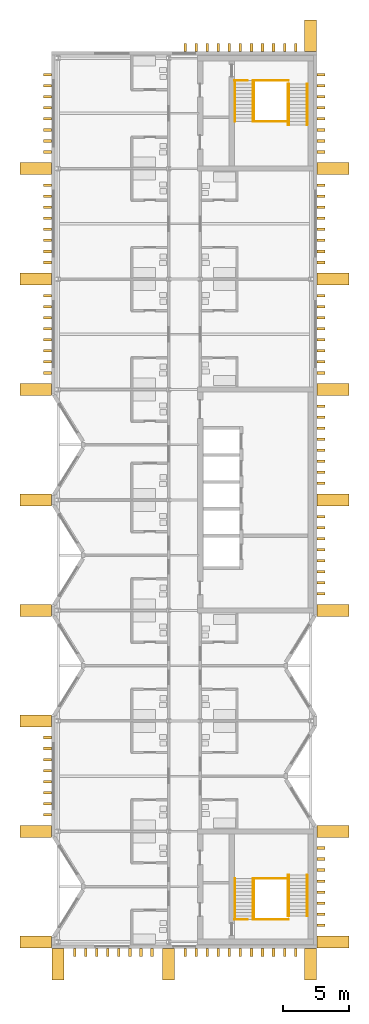
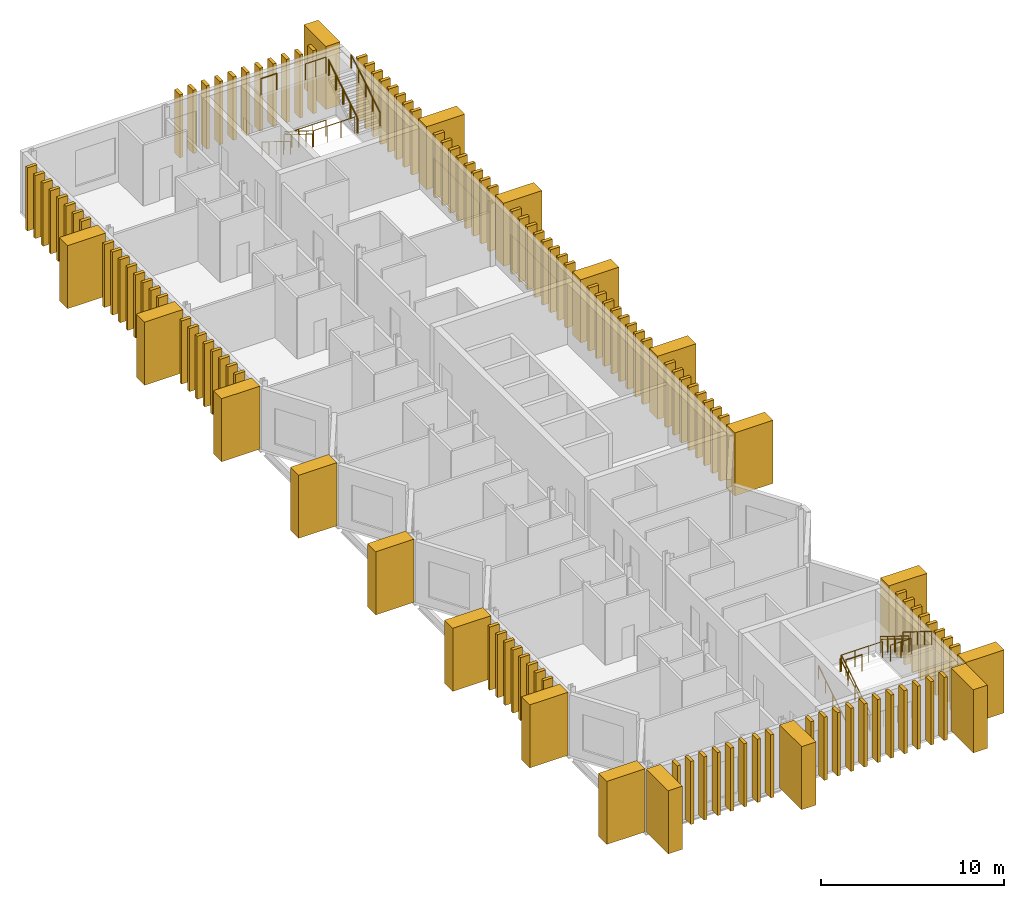
# One storey, part 9 of 10: 129 coverings, 20 railings.
"""IFC4 building model written with IfcOpenShell, lengths in metres."""

from ifc_helpers import new_model, si_unit, direction, frame, origin, origin_2d, place, context, subcontext, project, spatial, rectangle, circle, extrude, material, type_object, element, save


model = new_model("IFC4")

# Units and contexts
model_context = context("Model", 3, precision=1e-05, world=origin(), true_north=direction((0.0, 1.0)))
body_context = subcontext(model_context, "Body", "Model", "MODEL_VIEW")
ifc_project = project(units=[si_unit("LENGTHUNIT", "METRE"), si_unit("AREAUNIT", "SQUARE_METRE"), si_unit("VOLUMEUNIT", "CUBIC_METRE"), si_unit("PLANEANGLEUNIT", "RADIAN"), si_unit("MASSUNIT", "GRAM", prefix="KILO")], contexts=[model_context])

# Site, building, storey
site_placement = place(None, origin())
site = spatial("IfcSite", under=ifc_project, at=site_placement, CompositionType="ELEMENT")
building_placement = place(site_placement, origin())
building = spatial("IfcBuilding", under=site, at=building_placement, Name="Cresset Court Congress Hotel", CompositionType="ELEMENT")
storey_placement = place(building_placement, frame((0.0, 0.0, 56.39990234375)))
storey = spatial("IfcBuildingStorey", under=building, at=storey_placement, Name="L13", CompositionType="ELEMENT", Elevation=56.39990234375)

# Coverings
ifc_material_1 = material(Name="Precast concrete C50", Category="concrete")
covering_type_1 = type_object("IfcCoveringType", Name="Precast stone fin 200x600", PredefinedType="CLADDING", material=ifc_material_1)
for number, where, z_axis, x_axis, name in (
    (1, (177.199951171875, 1.260009765625, 0.0), (0.0, 0.0, 1.0), (1.0, 0.0, 0.0), "Fin E002"),
    (2, (177.199951171875, 2.10009765625, 0.0), (0.0, 0.0, 1.0), (1.0, 0.0, 0.0), "Fin E003"),
    (3, (177.199951171875, 2.93994140625, 0.0), (0.0, 0.0, 1.0), (1.0, 0.0, 0.0), "Fin E004"),
    (4, (177.199951171875, 3.780029296875, 0.0), (0.0, 0.0, 1.0), (1.0, 0.0, 0.0), "Fin E005"),
    (5, (177.199951171875, 4.6201171875, 0.0), (0.0, 0.0, 1.0), (1.0, 0.0, 0.0), "Fin E006"),
    (6, (177.199951171875, 5.4599609375, 0.0), (0.0, 0.0, 1.0), (1.0, 0.0, 0.0), "Fin E007"),
    (7, (177.199951171875, 6.300048828125, 0.0), (0.0, 0.0, 1.0), (1.0, 0.0, 0.0), "Fin E008"),
    (8, (177.199951171875, 7.139892578125, 0.0), (0.0, 0.0, 1.0), (1.0, 0.0, 0.0), "Fin E009"),
    (9, (177.199951171875, 26.4599609375, 0.0), (0.0, 0.0, 1.0), (1.0, 0.0, 0.0), "Fin E032"),
    (10, (177.199951171875, 27.300048828125, 0.0), (0.0, 0.0, 1.0), (1.0, 0.0, 0.0), "Fin E033"),
    (11, (177.199951171875, 28.139892578125, 0.0), (0.0, 0.0, 1.0), (1.0, 0.0, 0.0), "Fin E034"),
    (12, (177.199951171875, 28.97998046875, 0.0), (0.0, 0.0, 1.0), (1.0, 0.0, 0.0), "Fin E035"),
    (13, (177.199951171875, 29.820068359375, 0.0), (0.0, 0.0, 1.0), (1.0, 0.0, 0.0), "Fin E036"),
    (14, (177.199951171875, 30.659912109375, 0.0), (0.0, 0.0, 1.0), (1.0, 0.0, 0.0), "Fin E037"),
    (15, (177.199951171875, 31.5, 0.0), (0.0, 0.0, 1.0), (1.0, 0.0, 0.0), "Fin E038"),
    (16, (177.199951171875, 32.340087890625, 0.0), (0.0, 0.0, 1.0), (1.0, 0.0, 0.0), "Fin E039"),
    (17, (177.199951171875, 34.860107421875, 0.0), (0.0, 0.0, 1.0), (1.0, 0.0, 0.0), "Fin E042"),
    (18, (177.199951171875, 35.699951171875, 0.0), (0.0, 0.0, 1.0), (1.0, 0.0, 0.0), "Fin E043"),
    (19, (177.199951171875, 36.5400390625, 0.0), (0.0, 0.0, 1.0), (1.0, 0.0, 0.0), "Fin E044"),
    (20, (177.199951171875, 37.3798828125, 0.0), (0.0, 0.0, 1.0), (1.0, 0.0, 0.0), "Fin E045"),
    (21, (177.199951171875, 38.219970703125, 0.0), (0.0, 0.0, 1.0), (1.0, 0.0, 0.0), "Fin E046"),
    (22, (177.199951171875, 39.06005859375, 0.0), (0.0, 0.0, 1.0), (1.0, 0.0, 0.0), "Fin E047"),
    (23, (177.199951171875, 39.89990234375, 0.0), (0.0, 0.0, 1.0), (1.0, 0.0, 0.0), "Fin E048"),
    (24, (177.199951171875, 40.739990234375, 0.0), (0.0, 0.0, 1.0), (1.0, 0.0, 0.0), "Fin E049"),
    (25, (177.199951171875, 43.260009765625, 0.0), (0.0, 0.0, 1.0), (1.0, 0.0, 0.0), "Fin E052"),
    (26, (177.199951171875, 44.10009765625, 0.0), (0.0, 0.0, 1.0), (1.0, 0.0, 0.0), "Fin E053"),
    (27, (177.199951171875, 44.93994140625, 0.0), (0.0, 0.0, 1.0), (1.0, 0.0, 0.0), "Fin E054"),
    (28, (177.199951171875, 45.780029296875, 0.0), (0.0, 0.0, 1.0), (1.0, 0.0, 0.0), "Fin E055"),
    (29, (177.199951171875, 46.6201171875, 0.0), (0.0, 0.0, 1.0), (1.0, 0.0, 0.0), "Fin E056"),
    (30, (177.199951171875, 47.4599609375, 0.0), (0.0, 0.0, 1.0), (1.0, 0.0, 0.0), "Fin E057"),
    (31, (177.199951171875, 48.300048828125, 0.0), (0.0, 0.0, 1.0), (1.0, 0.0, 0.0), "Fin E058"),
    (32, (177.199951171875, 49.139892578125, 0.0), (0.0, 0.0, 1.0), (1.0, 0.0, 0.0), "Fin E059"),
    (33, (177.199951171875, 51.659912109375, 0.0), (0.0, 0.0, 1.0), (1.0, 0.0, 0.0), "Fin E062"),
    (34, (177.199951171875, 52.5, 0.0), (0.0, 0.0, 1.0), (1.0, 0.0, 0.0), "Fin E063"),
    (35, (177.199951171875, 53.340087890625, 0.0), (0.0, 0.0, 1.0), (1.0, 0.0, 0.0), "Fin E064"),
    (36, (177.199951171875, 54.179931640625, 0.0), (0.0, 0.0, 1.0), (1.0, 0.0, 0.0), "Fin E065"),
    (37, (177.199951171875, 55.02001953125, 0.0), (0.0, 0.0, 1.0), (1.0, 0.0, 0.0), "Fin E066"),
    (38, (177.199951171875, 55.860107421875, 0.0), (0.0, 0.0, 1.0), (1.0, 0.0, 0.0), "Fin E067"),
    (39, (177.199951171875, 56.699951171875, 0.0), (0.0, 0.0, 1.0), (1.0, 0.0, 0.0), "Fin E068"),
    (40, (177.199951171875, 57.5400390625, 0.0), (0.0, 0.0, 1.0), (1.0, 0.0, 0.0), "Fin E069"),
    (41, (177.199951171875, 60.06005859375, 0.0), (0.0, 0.0, 1.0), (1.0, 0.0, 0.0), "Fin E072"),
    (42, (177.199951171875, 60.89990234375, 0.0), (0.0, 0.0, 1.0), (1.0, 0.0, 0.0), "Fin E073"),
    (43, (177.199951171875, 61.739990234375, 0.0), (0.0, 0.0, 1.0), (1.0, 0.0, 0.0), "Fin E074"),
    (44, (177.199951171875, 62.580078125, 0.0), (0.0, 0.0, 1.0), (1.0, 0.0, 0.0), "Fin E075"),
    (45, (177.199951171875, 63.419921875, 0.0), (0.0, 0.0, 1.0), (1.0, 0.0, 0.0), "Fin E076"),
    (46, (177.199951171875, 64.260009765625, 0.0), (0.0, 0.0, 1.0), (1.0, 0.0, 0.0), "Fin E077"),
    (47, (177.199951171875, 65.10009765625, 0.0), (0.0, 0.0, 1.0), (1.0, 0.0, 0.0), "Fin E078"),
    (48, (177.199951171875, 65.93994140625, 0.0), (0.0, 0.0, 1.0), (1.0, 0.0, 0.0), "Fin E079"),
    (49, (156.39990234375, 9.659912109375, 0.0), (0.0, 0.0, 1.0), (1.0, 0.0, 0.0), "Fin W012"),
    (50, (156.39990234375, 10.5, 0.0), (0.0, 0.0, 1.0), (1.0, 0.0, 0.0), "Fin W013"),
    (51, (156.39990234375, 11.340087890625, 0.0), (0.0, 0.0, 1.0), (1.0, 0.0, 0.0), "Fin W014"),
    (52, (156.39990234375, 12.179931640625, 0.0), (0.0, 0.0, 1.0), (1.0, 0.0, 0.0), "Fin W015"),
    (53, (156.39990234375, 13.02001953125, 0.0), (0.0, 0.0, 1.0), (1.0, 0.0, 0.0), "Fin W016"),
    (54, (156.39990234375, 13.860107421875, 0.0), (0.0, 0.0, 1.0), (1.0, 0.0, 0.0), "Fin W017"),
    (55, (156.39990234375, 14.699951171875, 0.0), (0.0, 0.0, 1.0), (1.0, 0.0, 0.0), "Fin W018"),
    (56, (156.39990234375, 15.5400390625, 0.0), (0.0, 0.0, 1.0), (1.0, 0.0, 0.0), "Fin W019"),
    (57, (156.39990234375, 43.260009765625, 0.0), (0.0, 0.0, 1.0), (1.0, 0.0, 0.0), "Fin W052"),
    (58, (156.39990234375, 44.10009765625, 0.0), (0.0, 0.0, 1.0), (1.0, 0.0, 0.0), "Fin W053"),
    (59, (156.39990234375, 44.93994140625, 0.0), (0.0, 0.0, 1.0), (1.0, 0.0, 0.0), "Fin W054"),
    (60, (156.39990234375, 45.780029296875, 0.0), (0.0, 0.0, 1.0), (1.0, 0.0, 0.0), "Fin W055"),
    (61, (156.39990234375, 46.6201171875, 0.0), (0.0, 0.0, 1.0), (1.0, 0.0, 0.0), "Fin W056"),
    (62, (156.39990234375, 47.4599609375, 0.0), (0.0, 0.0, 1.0), (1.0, 0.0, 0.0), "Fin W057"),
    (63, (156.39990234375, 48.300048828125, 0.0), (0.0, 0.0, 1.0), (1.0, 0.0, 0.0), "Fin W058"),
    (64, (156.39990234375, 49.139892578125, 0.0), (0.0, 0.0, 1.0), (1.0, 0.0, 0.0), "Fin W059"),
    (65, (156.39990234375, 51.659912109375, 0.0), (0.0, 0.0, 1.0), (1.0, 0.0, 0.0), "Fin W062"),
    (66, (156.39990234375, 52.5, 0.0), (0.0, 0.0, 1.0), (1.0, 0.0, 0.0), "Fin W063"),
    (67, (156.39990234375, 53.340087890625, 0.0), (0.0, 0.0, 1.0), (1.0, 0.0, 0.0), "Fin W064"),
    (68, (156.39990234375, 54.179931640625, 0.0), (0.0, 0.0, 1.0), (1.0, 0.0, 0.0), "Fin W065"),
    (69, (156.39990234375, 55.02001953125, 0.0), (0.0, 0.0, 1.0), (1.0, 0.0, 0.0), "Fin W066"),
    (70, (156.39990234375, 55.860107421875, 0.0), (0.0, 0.0, 1.0), (1.0, 0.0, 0.0), "Fin W067"),
    (71, (156.39990234375, 56.699951171875, 0.0), (0.0, 0.0, 1.0), (1.0, 0.0, 0.0), "Fin W068"),
    (72, (156.39990234375, 57.5400390625, 0.0), (0.0, 0.0, 1.0), (1.0, 0.0, 0.0), "Fin W069"),
    (73, (156.39990234375, 60.06005859375, 0.0), (0.0, 0.0, 1.0), (1.0, 0.0, 0.0), "Fin W072"),
    (74, (156.39990234375, 60.89990234375, 0.0), (0.0, 0.0, 1.0), (1.0, 0.0, 0.0), "Fin W073"),
    (75, (156.39990234375, 61.739990234375, 0.0), (0.0, 0.0, 1.0), (1.0, 0.0, 0.0), "Fin W074"),
    (76, (156.39990234375, 62.580078125, 0.0), (0.0, 0.0, 1.0), (1.0, 0.0, 0.0), "Fin W075"),
    (77, (156.39990234375, 63.419921875, 0.0), (0.0, 0.0, 1.0), (1.0, 0.0, 0.0), "Fin W076"),
    (78, (156.39990234375, 64.260009765625, 0.0), (0.0, 0.0, 1.0), (1.0, 0.0, 0.0), "Fin W077"),
    (79, (156.39990234375, 65.10009765625, 0.0), (0.0, 0.0, 1.0), (1.0, 0.0, 0.0), "Fin W078"),
    (80, (156.39990234375, 65.93994140625, 0.0), (0.0, 0.0, 1.0), (1.0, 0.0, 0.0), "Fin W079"),
):
    element("IfcCovering", number, at=place(storey_placement, frame(where, z_axis=z_axis, x_axis=x_axis)), inside=storey, type_object=covering_type_1, Name=name, PredefinedType="CLADDING", context=body_context, shape_type="SweptSolid", body=[
        extrude(rectangle(XDim=0.60009765625, YDim=0.199951171875, at=origin_2d()), origin(), (0.0, 0.0, 1.0), 4.199951171875),
    ])
for number, where, z_axis, x_axis, name in (
    (81, (158.4599609375, -0.800048828125, 0.0), (0.0, 0.0, 1.0), (1.0, 0.0, 0.0), "Fin S002"),
    (82, (159.300048828125, -0.800048828125, 0.0), (0.0, 0.0, 1.0), (1.0, 0.0, 0.0), "Fin S003"),
    (83, (160.139892578125, -0.800048828125, 0.0), (0.0, 0.0, 1.0), (1.0, 0.0, 0.0), "Fin S004"),
    (84, (160.97998046875, -0.800048828125, 0.0), (0.0, 0.0, 1.0), (1.0, 0.0, 0.0), "Fin S005"),
    (85, (161.820068359375, -0.800048828125, 0.0), (0.0, 0.0, 1.0), (1.0, 0.0, 0.0), "Fin S006"),
    (86, (162.659912109375, -0.800048828125, 0.0), (0.0, 0.0, 1.0), (1.0, 0.0, 0.0), "Fin S007"),
    (87, (163.5, -0.800048828125, 0.0), (0.0, 0.0, 1.0), (1.0, 0.0, 0.0), "Fin S008"),
    (88, (164.340087890625, -0.800048828125, 0.0), (0.0, 0.0, 1.0), (1.0, 0.0, 0.0), "Fin S009"),
    (89, (166.860107421875, -0.800048828125, 0.0), (0.0, 0.0, 1.0), (1.0, 0.0, 0.0), "Fin S012"),
    (90, (167.699951171875, -0.800048828125, 0.0), (0.0, 0.0, 1.0), (1.0, 0.0, 0.0), "Fin S013"),
    (91, (168.5400390625, -0.800048828125, 0.0), (0.0, 0.0, 1.0), (1.0, 0.0, 0.0), "Fin S014"),
    (92, (169.3798828125, -0.800048828125, 0.0), (0.0, 0.0, 1.0), (1.0, 0.0, 0.0), "Fin S015"),
    (93, (170.219970703125, -0.800048828125, 0.0), (0.0, 0.0, 1.0), (1.0, 0.0, 0.0), "Fin S016"),
    (94, (171.06005859375, -0.800048828125, 0.0), (0.0, 0.0, 1.0), (1.0, 0.0, 0.0), "Fin S017"),
    (95, (171.89990234375, -0.800048828125, 0.0), (0.0, 0.0, 1.0), (1.0, 0.0, 0.0), "Fin S018"),
    (96, (172.739990234375, -0.800048828125, 0.0), (0.0, 0.0, 1.0), (1.0, 0.0, 0.0), "Fin S019"),
    (97, (173.580078125, -0.800048828125, 0.0), (0.0, 0.0, 1.0), (1.0, 0.0, 0.0), "Fin S020"),
    (98, (174.419921875, -0.800048828125, 0.0), (0.0, 0.0, 1.0), (1.0, 0.0, 0.0), "Fin S021"),
    (99, (175.260009765625, -0.800048828125, 0.0), (0.0, 0.0, 1.0), (1.0, 0.0, 0.0), "Fin S022"),
    (100, (166.860107421875, 68.0, 0.0), (0.0, 0.0, 1.0), (1.0, 0.0, 0.0), "Fin N012"),
    (101, (167.699951171875, 68.0, 0.0), (0.0, 0.0, 1.0), (1.0, 0.0, 0.0), "Fin N013"),
    (102, (168.5400390625, 68.0, 0.0), (0.0, 0.0, 1.0), (1.0, 0.0, 0.0), "Fin N014"),
    (103, (169.3798828125, 68.0, 0.0), (0.0, 0.0, 1.0), (1.0, 0.0, 0.0), "Fin N015"),
    (104, (170.219970703125, 68.0, 0.0), (0.0, 0.0, 1.0), (1.0, 0.0, 0.0), "Fin N016"),
    (105, (171.06005859375, 68.0, 0.0), (0.0, 0.0, 1.0), (1.0, 0.0, 0.0), "Fin N017"),
    (106, (171.89990234375, 68.0, 0.0), (0.0, 0.0, 1.0), (1.0, 0.0, 0.0), "Fin N018"),
    (107, (172.739990234375, 68.0, 0.0), (0.0, 0.0, 1.0), (1.0, 0.0, 0.0), "Fin N019"),
    (108, (173.580078125, 68.0, 0.0), (0.0, 0.0, 1.0), (1.0, 0.0, 0.0), "Fin N020"),
    (109, (174.419921875, 68.0, 0.0), (0.0, 0.0, 1.0), (1.0, 0.0, 0.0), "Fin N021"),
    (110, (175.260009765625, 68.0, 0.0), (0.0, 0.0, 1.0), (1.0, 0.0, 0.0), "Fin N022"),
):
    element("IfcCovering", number, at=place(storey_placement, frame(where, z_axis=z_axis, x_axis=x_axis)), inside=storey, type_object=covering_type_1, Name=name, PredefinedType="CLADDING", context=body_context, shape_type="SweptSolid", body=[
        extrude(rectangle(XDim=0.199951171875, YDim=0.60009765625, at=origin_2d()), origin(), (0.0, 0.0, 1.0), 4.199951171875),
    ])
ifc_material_2 = material(Name="Precast concrete C50", Category="concrete")
covering_type_2 = type_object("IfcCoveringType", Name="Precast stone pier 900x2400", PredefinedType="CLADDING", material=ifc_material_2)
for number, where, z_axis, x_axis, name in (
    (111, (178.10009765625, 0.0, 0.0), (0.0, 0.0, 1.0), (1.0, 0.0, 0.0), "Pier E01"),
    (112, (178.10009765625, 8.39990234375, 0.0), (0.0, 0.0, 1.0), (1.0, 0.0, 0.0), "Pier E02"),
    (113, (178.10009765625, 25.199951171875, 0.0), (0.0, 0.0, 1.0), (1.0, 0.0, 0.0), "Pier E03"),
    (114, (178.10009765625, 33.60009765625, 0.0), (0.0, 0.0, 1.0), (1.0, 0.0, 0.0), "Pier E04"),
    (115, (178.10009765625, 42.0, 0.0), (0.0, 0.0, 1.0), (1.0, 0.0, 0.0), "Pier E05"),
    (116, (178.10009765625, 50.39990234375, 0.0), (0.0, 0.0, 1.0), (1.0, 0.0, 0.0), "Pier E06"),
    (117, (178.10009765625, 58.800048828125, 0.0), (0.0, 0.0, 1.0), (1.0, 0.0, 0.0), "Pier E07"),
    (118, (155.5, 0.0, 0.0), (0.0, 0.0, 1.0), (1.0, 0.0, 0.0), "Pier W01"),
    (119, (155.5, 8.39990234375, 0.0), (0.0, 0.0, 1.0), (1.0, 0.0, 0.0), "Pier W02"),
    (120, (155.5, 16.800048828125, 0.0), (0.0, 0.0, 1.0), (1.0, 0.0, 0.0), "Pier W03"),
    (121, (155.5, 25.199951171875, 0.0), (0.0, 0.0, 1.0), (1.0, 0.0, 0.0), "Pier W04"),
    (122, (155.5, 33.60009765625, 0.0), (0.0, 0.0, 1.0), (1.0, 0.0, 0.0), "Pier W05"),
    (123, (155.5, 42.0, 0.0), (0.0, 0.0, 1.0), (1.0, 0.0, 0.0), "Pier W06"),
    (124, (155.5, 50.39990234375, 0.0), (0.0, 0.0, 1.0), (1.0, 0.0, 0.0), "Pier W07"),
    (125, (155.5, 58.800048828125, 0.0), (0.0, 0.0, 1.0), (1.0, 0.0, 0.0), "Pier W08"),
):
    element("IfcCovering", number, at=place(storey_placement, frame(where, z_axis=z_axis, x_axis=x_axis)), inside=storey, type_object=covering_type_2, Name=name, PredefinedType="CLADDING", context=body_context, shape_type="SweptSolid", body=[
        extrude(rectangle(XDim=2.39990234375, YDim=0.89990234375, at=origin_2d()), origin(), (0.0, 0.0, 1.0), 4.199951171875),
    ])
for number, where, z_axis, x_axis, name in (
    (126, (157.199951171875, -1.699951171875, 0.0), (0.0, 0.0, 1.0), (1.0, 0.0, 0.0), "Pier S01"),
    (127, (165.60009765625, -1.699951171875, 0.0), (0.0, 0.0, 1.0), (1.0, 0.0, 0.0), "Pier S02"),
    (128, (176.39990234375, -1.699951171875, 0.0), (0.0, 0.0, 1.0), (1.0, 0.0, 0.0), "Pier S03"),
    (129, (176.39990234375, 68.89990234375, 0.0), (0.0, 0.0, 1.0), (1.0, 0.0, 0.0), "Pier N03"),
):
    element("IfcCovering", number, at=place(storey_placement, frame(where, z_axis=z_axis, x_axis=x_axis)), inside=storey, type_object=covering_type_2, Name=name, PredefinedType="CLADDING", context=body_context, shape_type="SweptSolid", body=[
        extrude(rectangle(XDim=0.89990234375, YDim=2.39990234375, at=origin_2d()), origin(), (0.0, 0.0, 1.0), 4.199951171875),
    ])

# Railings
ifc_material_3 = material(Name="Stainless steel", Category="steel")
railing_type_1 = type_object("IfcRailingType", Name="Stair guard 1100", PredefinedType="GUARDRAIL", material=ifc_material_3)
railing_1_placement = place(storey_placement, frame((170.60009765625, 1.699951171875, 4.2001953125)))
element("IfcRailing", 130, at=railing_1_placement, inside=storey, type_object=railing_type_1, Name="Guard A1 L13", PredefinedType="GUARDRAIL", context=body_context, shape_type="SweptSolid", body=[
    extrude(circle(Radius=0.02392578125, at=origin_2d()), frame((0.0, 0.0, 1.076171875), z_axis=(1.0, 0.0, 0.0), x_axis=(0.0, 1.0, 0.0)), (0.0, 0.0, 1.0), 1.0),
    extrude(circle(Radius=0.02099609375, at=origin_2d()), origin(), (0.0, 0.0, 1.0), 1.052001953125),
    extrude(circle(Radius=0.02099609375, at=origin_2d()), frame((1.0, 0.0, 0.0)), (0.0, 0.0, 1.0), 1.052001953125),
])
railing_2_placement = place(storey_placement, frame((173.39990234375, 1.699951171875, 4.2001953125)))
element("IfcRailing", 131, at=railing_2_placement, inside=storey, type_object=railing_type_1, Name="Guard A1 L13", PredefinedType="GUARDRAIL", context=body_context, shape_type="SweptSolid", body=[
    extrude(circle(Radius=0.02392578125, at=origin_2d()), frame((0.0, 0.0, 1.076171875), z_axis=(1.0, 0.0, 0.0), x_axis=(0.0, 1.0, 0.0)), (0.0, 0.0, 1.0), 1.300048828125),
    extrude(circle(Radius=0.02099609375, at=origin_2d()), origin(), (0.0, 0.0, 1.0), 1.052001953125),
    extrude(circle(Radius=0.02099609375, at=origin_2d()), frame((0.64990234375, 0.0, 0.0)), (0.0, 0.0, 1.0), 1.052001953125),
    extrude(circle(Radius=0.02099609375, at=origin_2d()), frame((1.300048828125, 0.0, 0.0)), (0.0, 0.0, 1.0), 1.052001953125),
])
railing_3_placement = place(storey_placement, frame((172.10009765625, 1.699951171875, 0.16162109375)))
element("IfcRailing", 132, at=railing_3_placement, inside=storey, type_object=railing_type_1, Name="Guard A1 L13", PredefinedType="GUARDRAIL", context=body_context, shape_type="SweptSolid", body=[
    extrude(circle(Radius=0.02392578125, at=origin_2d()), frame((0.0, 0.0, 1.076171875), z_axis=(0.0, 0.849414166554, 0.527726798313), x_axis=(-1.0, 0.0, 0.0)), (0.0, 0.0, 1.0), 3.67333984375),
    extrude(circle(Radius=0.02099609375, at=origin_2d()), origin(), (0.0, 0.0, 1.0), 1.052001953125),
    extrude(circle(Radius=0.02099609375, at=origin_2d()), frame((0.0, 0.780029296875, 0.484619140625)), (0.0, 0.0, 1.0), 1.052001953125),
    extrude(circle(Radius=0.02099609375, at=origin_2d()), frame((0.0, 1.56005859375, 0.96923828125)), (0.0, 0.0, 1.0), 1.052001953125),
    extrude(circle(Radius=0.02099609375, at=origin_2d()), frame((0.0, 2.340087890625, 1.453857421875)), (0.0, 0.0, 1.0), 1.052001953125),
    extrude(circle(Radius=0.02099609375, at=origin_2d()), frame((0.0, 3.1201171875, 1.9384765625)), (0.0, 0.0, 1.0), 1.052001953125),
])
railing_4_placement = place(storey_placement, frame((174.699951171875, 5.080078125, 2.26171875)))
element("IfcRailing", 133, at=railing_4_placement, inside=storey, type_object=railing_type_1, Name="Guard A1 L13", PredefinedType="GUARDRAIL", context=body_context, shape_type="SweptSolid", body=[
    extrude(circle(Radius=0.02392578125, at=origin_2d()), frame((0.0, 0.0, 1.076171875), z_axis=(0.0, -0.849414166554, 0.527726798313), x_axis=(1.0, 0.0, 0.0)), (0.0, 0.0, 1.0), 3.67333984375),
    extrude(circle(Radius=0.02099609375, at=origin_2d()), origin(), (0.0, 0.0, 1.0), 1.052001953125),
    extrude(circle(Radius=0.02099609375, at=origin_2d()), frame((0.0, -0.780029296875, 0.484619140625)), (0.0, 0.0, 1.0), 1.052001953125),
    extrude(circle(Radius=0.02099609375, at=origin_2d()), frame((0.0, -1.56005859375, 0.96923828125)), (0.0, 0.0, 1.0), 1.052001953125),
    extrude(circle(Radius=0.02099609375, at=origin_2d()), frame((0.0, -2.340087890625, 1.453857421875)), (0.0, 0.0, 1.0), 1.052001953125),
    extrude(circle(Radius=0.02099609375, at=origin_2d()), frame((0.0, -3.1201171875, 1.9384765625)), (0.0, 0.0, 1.0), 1.052001953125),
])
for number, where, name in (
    (134, (172.10009765625, 1.699951171875, 0.0), "Guard A1 L13"),
    (135, (172.10009765625, 4.820068359375, 2.10009765625), "Guard A1 L13"),
):
    element("IfcRailing", number, at=place(storey_placement, frame(where)), inside=storey, type_object=railing_type_1, Name=name, PredefinedType="GUARDRAIL", context=body_context, shape_type="SweptSolid", body=[
        extrude(circle(Radius=0.02392578125, at=origin_2d()), frame((0.0, 0.0, 1.076171875), z_axis=(1.0, 0.0, 0.0), x_axis=(0.0, 1.0, 0.0)), (0.0, 0.0, 1.0), 2.599853515625),
        extrude(circle(Radius=0.02099609375, at=origin_2d()), origin(), (0.0, 0.0, 1.0), 1.052001953125),
        extrude(circle(Radius=0.02099609375, at=origin_2d()), frame((0.86669921875, 0.0, 0.0)), (0.0, 0.0, 1.0), 1.052001953125),
        extrude(circle(Radius=0.02099609375, at=origin_2d()), frame((1.733154296875, 0.0, 0.0)), (0.0, 0.0, 1.0), 1.052001953125),
        extrude(circle(Radius=0.02099609375, at=origin_2d()), frame((2.599853515625, 0.0, 0.0)), (0.0, 0.0, 1.0), 1.052001953125),
    ])
railing_5_placement = place(storey_placement, frame((170.60009765625, 65.5, 4.2001953125)))
element("IfcRailing", 136, at=railing_5_placement, inside=storey, type_object=railing_type_1, Name="Guard A2 L13", PredefinedType="GUARDRAIL", context=body_context, shape_type="SweptSolid", body=[
    extrude(circle(Radius=0.02392578125, at=origin_2d()), frame((0.0, 0.0, 1.076171875), z_axis=(1.0, 0.0, 0.0), x_axis=(0.0, 1.0, 0.0)), (0.0, 0.0, 1.0), 1.0),
    extrude(circle(Radius=0.02099609375, at=origin_2d()), origin(), (0.0, 0.0, 1.0), 1.052001953125),
    extrude(circle(Radius=0.02099609375, at=origin_2d()), frame((1.0, 0.0, 0.0)), (0.0, 0.0, 1.0), 1.052001953125),
])
railing_6_placement = place(storey_placement, frame((173.39990234375, 65.5, 4.2001953125)))
element("IfcRailing", 137, at=railing_6_placement, inside=storey, type_object=railing_type_1, Name="Guard A2 L13", PredefinedType="GUARDRAIL", context=body_context, shape_type="SweptSolid", body=[
    extrude(circle(Radius=0.02392578125, at=origin_2d()), frame((0.0, 0.0, 1.076171875), z_axis=(1.0, 0.0, 0.0), x_axis=(0.0, 1.0, 0.0)), (0.0, 0.0, 1.0), 1.300048828125),
    extrude(circle(Radius=0.02099609375, at=origin_2d()), origin(), (0.0, 0.0, 1.0), 1.052001953125),
    extrude(circle(Radius=0.02099609375, at=origin_2d()), frame((0.64990234375, 0.0, 0.0)), (0.0, 0.0, 1.0), 1.052001953125),
    extrude(circle(Radius=0.02099609375, at=origin_2d()), frame((1.300048828125, 0.0, 0.0)), (0.0, 0.0, 1.0), 1.052001953125),
])
railing_7_placement = place(storey_placement, frame((172.10009765625, 65.5, 0.16162109375)))
element("IfcRailing", 138, at=railing_7_placement, inside=storey, type_object=railing_type_1, Name="Guard A2 L13", PredefinedType="GUARDRAIL", context=body_context, shape_type="SweptSolid", body=[
    extrude(circle(Radius=0.02392578125, at=origin_2d()), frame((0.0, 0.0, 1.076171875), z_axis=(0.0, -0.849414166554, 0.527726798313), x_axis=(1.0, 0.0, 0.0)), (0.0, 0.0, 1.0), 3.67333984375),
    extrude(circle(Radius=0.02099609375, at=origin_2d()), origin(), (0.0, 0.0, 1.0), 1.052001953125),
    extrude(circle(Radius=0.02099609375, at=origin_2d()), frame((0.0, -0.780029296875, 0.484619140625)), (0.0, 0.0, 1.0), 1.052001953125),
    extrude(circle(Radius=0.02099609375, at=origin_2d()), frame((0.0, -1.56005859375, 0.96923828125)), (0.0, 0.0, 1.0), 1.052001953125),
    extrude(circle(Radius=0.02099609375, at=origin_2d()), frame((0.0, -2.340087890625, 1.453857421875)), (0.0, 0.0, 1.0), 1.052001953125),
    extrude(circle(Radius=0.02099609375, at=origin_2d()), frame((0.0, -3.1201171875, 1.9384765625)), (0.0, 0.0, 1.0), 1.052001953125),
])
railing_8_placement = place(storey_placement, frame((174.699951171875, 62.1201171875, 2.26171875)))
element("IfcRailing", 139, at=railing_8_placement, inside=storey, type_object=railing_type_1, Name="Guard A2 L13", PredefinedType="GUARDRAIL", context=body_context, shape_type="SweptSolid", body=[
    extrude(circle(Radius=0.02392578125, at=origin_2d()), frame((0.0, 0.0, 1.076171875), z_axis=(0.0, 0.849395654964, 0.52775659288), x_axis=(-1.0, 0.0, 0.0)), (0.0, 0.0, 1.0), 3.673095703125),
    extrude(circle(Radius=0.02099609375, at=origin_2d()), origin(), (0.0, 0.0, 1.0), 1.052001953125),
    extrude(circle(Radius=0.02099609375, at=origin_2d()), frame((0.0, 0.780029296875, 0.484619140625)), (0.0, 0.0, 1.0), 1.052001953125),
    extrude(circle(Radius=0.02099609375, at=origin_2d()), frame((0.0, 1.56005859375, 0.96923828125)), (0.0, 0.0, 1.0), 1.052001953125),
    extrude(circle(Radius=0.02099609375, at=origin_2d()), frame((0.0, 2.33984375, 1.453857421875)), (0.0, 0.0, 1.0), 1.052001953125),
    extrude(circle(Radius=0.02099609375, at=origin_2d()), frame((0.0, 3.119873046875, 1.9384765625)), (0.0, 0.0, 1.0), 1.052001953125),
])
for number, where, name in (
    (140, (172.10009765625, 65.5, 0.0), "Guard A2 L13"),
    (141, (172.10009765625, 62.3798828125, 2.10009765625), "Guard A2 L13"),
):
    element("IfcRailing", number, at=place(storey_placement, frame(where)), inside=storey, type_object=railing_type_1, Name=name, PredefinedType="GUARDRAIL", context=body_context, shape_type="SweptSolid", body=[
        extrude(circle(Radius=0.02392578125, at=origin_2d()), frame((0.0, 0.0, 1.076171875), z_axis=(1.0, 0.0, 0.0), x_axis=(0.0, 1.0, 0.0)), (0.0, 0.0, 1.0), 2.599853515625),
        extrude(circle(Radius=0.02099609375, at=origin_2d()), origin(), (0.0, 0.0, 1.0), 1.052001953125),
        extrude(circle(Radius=0.02099609375, at=origin_2d()), frame((0.86669921875, 0.0, 0.0)), (0.0, 0.0, 1.0), 1.052001953125),
        extrude(circle(Radius=0.02099609375, at=origin_2d()), frame((1.733154296875, 0.0, 0.0)), (0.0, 0.0, 1.0), 1.052001953125),
        extrude(circle(Radius=0.02099609375, at=origin_2d()), frame((2.599853515625, 0.0, 0.0)), (0.0, 0.0, 1.0), 1.052001953125),
    ])
ifc_material_4 = material(Name="Stainless steel", Category="steel")
railing_type_2 = type_object("IfcRailingType", Name="Stair handrail 900", PredefinedType="HANDRAIL", material=ifc_material_4)
for number, where, name in (
    (142, (170.659912109375, 1.699951171875, 0.16162109375), "Handrail A1 L13"),
    (143, (172.0400390625, 1.699951171875, 0.16162109375), "Handrail A1 L13"),
):
    element("IfcRailing", number, at=place(storey_placement, frame(where)), inside=storey, type_object=railing_type_2, Name=name, PredefinedType="HANDRAIL", context=body_context, shape_type="SweptSolid", body=[
        extrude(circle(Radius=0.02392578125, at=origin_2d()), frame((0.0, 0.0, 0.8759765625), z_axis=(0.0, 0.849414166554, 0.527726798313), x_axis=(-1.0, 0.0, 0.0)), (0.0, 0.0, 1.0), 3.67333984375),
        extrude(circle(Radius=0.02099609375, at=origin_2d()), origin(), (0.0, 0.0, 1.0), 0.851806640625),
        extrude(circle(Radius=0.02099609375, at=origin_2d()), frame((0.0, 0.780029296875, 0.484619140625)), (0.0, 0.0, 1.0), 0.851806640625),
        extrude(circle(Radius=0.02099609375, at=origin_2d()), frame((0.0, 1.56005859375, 0.96923828125)), (0.0, 0.0, 1.0), 0.851806640625),
        extrude(circle(Radius=0.02099609375, at=origin_2d()), frame((0.0, 2.340087890625, 1.453857421875)), (0.0, 0.0, 1.0), 0.851806640625),
        extrude(circle(Radius=0.02099609375, at=origin_2d()), frame((0.0, 3.1201171875, 1.9384765625)), (0.0, 0.0, 1.0), 0.851806640625),
    ])
for number, where, name in (
    (144, (174.760009765625, 5.080078125, 2.26171875), "Handrail A1 L13"),
    (145, (176.139892578125, 5.080078125, 2.26171875), "Handrail A1 L13"),
    (146, (170.659912109375, 65.5, 0.16162109375), "Handrail A2 L13"),
    (147, (172.0400390625, 65.5, 0.16162109375), "Handrail A2 L13"),
):
    element("IfcRailing", number, at=place(storey_placement, frame(where)), inside=storey, type_object=railing_type_2, Name=name, PredefinedType="HANDRAIL", context=body_context, shape_type="SweptSolid", body=[
        extrude(circle(Radius=0.02392578125, at=origin_2d()), frame((0.0, 0.0, 0.8759765625), z_axis=(0.0, -0.849414166554, 0.527726798313), x_axis=(1.0, 0.0, 0.0)), (0.0, 0.0, 1.0), 3.67333984375),
        extrude(circle(Radius=0.02099609375, at=origin_2d()), origin(), (0.0, 0.0, 1.0), 0.851806640625),
        extrude(circle(Radius=0.02099609375, at=origin_2d()), frame((0.0, -0.780029296875, 0.484619140625)), (0.0, 0.0, 1.0), 0.851806640625),
        extrude(circle(Radius=0.02099609375, at=origin_2d()), frame((0.0, -1.56005859375, 0.96923828125)), (0.0, 0.0, 1.0), 0.851806640625),
        extrude(circle(Radius=0.02099609375, at=origin_2d()), frame((0.0, -2.340087890625, 1.453857421875)), (0.0, 0.0, 1.0), 0.851806640625),
        extrude(circle(Radius=0.02099609375, at=origin_2d()), frame((0.0, -3.1201171875, 1.9384765625)), (0.0, 0.0, 1.0), 0.851806640625),
    ])
for number, where, name in (
    (148, (174.760009765625, 62.1201171875, 2.26171875), "Handrail A2 L13"),
    (149, (176.139892578125, 62.1201171875, 2.26171875), "Handrail A2 L13"),
):
    element("IfcRailing", number, at=place(storey_placement, frame(where)), inside=storey, type_object=railing_type_2, Name=name, PredefinedType="HANDRAIL", context=body_context, shape_type="SweptSolid", body=[
        extrude(circle(Radius=0.02392578125, at=origin_2d()), frame((0.0, 0.0, 0.8759765625), z_axis=(0.0, 0.849395654964, 0.52775659288), x_axis=(-1.0, 0.0, 0.0)), (0.0, 0.0, 1.0), 3.673095703125),
        extrude(circle(Radius=0.02099609375, at=origin_2d()), origin(), (0.0, 0.0, 1.0), 0.851806640625),
        extrude(circle(Radius=0.02099609375, at=origin_2d()), frame((0.0, 0.780029296875, 0.484619140625)), (0.0, 0.0, 1.0), 0.851806640625),
        extrude(circle(Radius=0.02099609375, at=origin_2d()), frame((0.0, 1.56005859375, 0.96923828125)), (0.0, 0.0, 1.0), 0.851806640625),
        extrude(circle(Radius=0.02099609375, at=origin_2d()), frame((0.0, 2.33984375, 1.453857421875)), (0.0, 0.0, 1.0), 0.851806640625),
        extrude(circle(Radius=0.02099609375, at=origin_2d()), frame((0.0, 3.119873046875, 1.9384765625)), (0.0, 0.0, 1.0), 0.851806640625),
    ])

save(model, "model.ifc")
